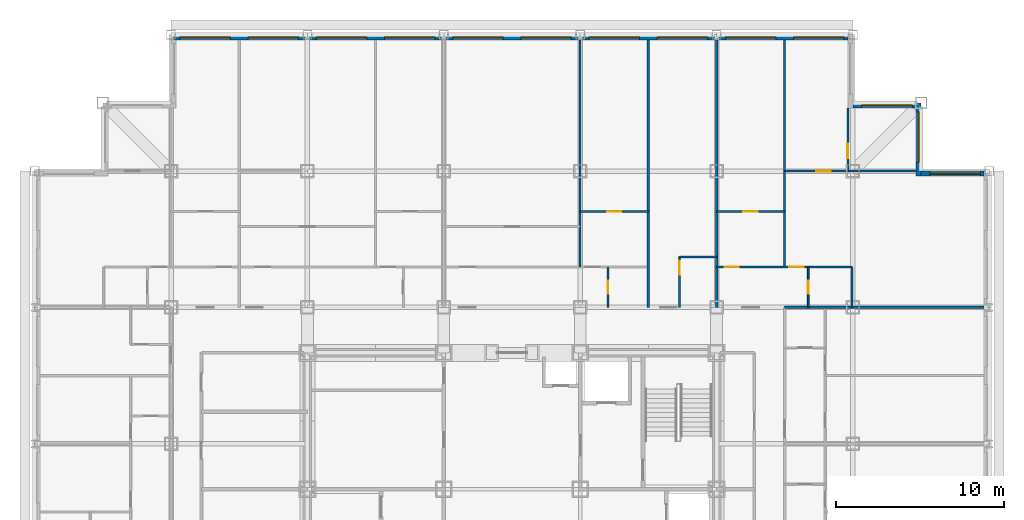
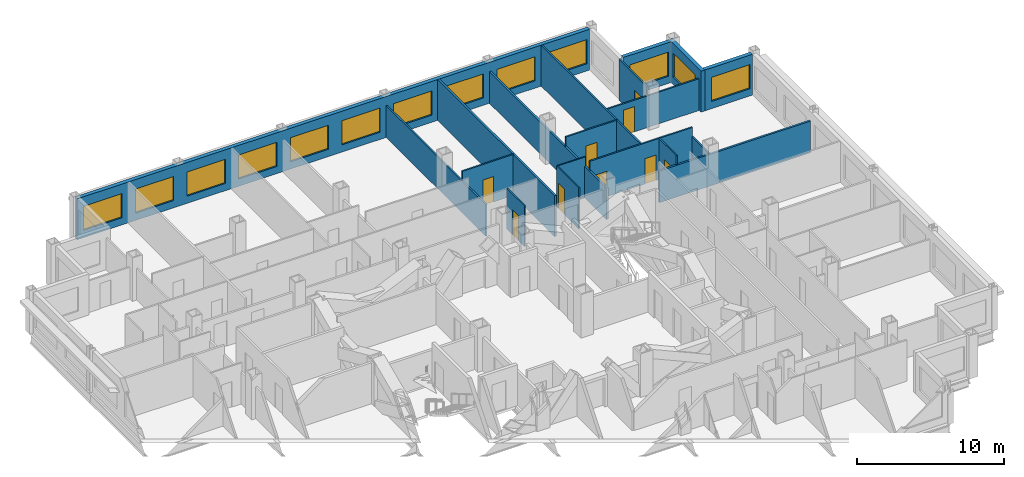
# One storey, part 10 of 12: 19 walls, 13 windows, 9 doors, 22 openings.
"""IFC4 building model written with IfcOpenShell, lengths in metres."""

import ifcopenshell
import ifcopenshell.guid

model = None  # the IFC model being written
_history = None  # IfcOwnerHistory: only IFC2X3 demands one
_inside = {}  # id of a spatial element -> (the spatial element, [elements in it])
_under = {}  # id of a project, library or spatial element -> (it, [spatial elements below it])
_declared = {}  # id of a project -> (the project, [libraries it declares])
_typed = {}  # id of a type object -> (the type object, [elements of that type])
_made_of = {}  # id of a material, layer set ... -> (it, [elements and type objects made of it])


def new_model(schema):
    """Start an empty IFC model of exactly this schema.

    Asked for "IFC4X3", IfcOpenShell would pick the latest addendum, in which some entities
    have other attributes; the version numbers below select the first issue.
    IFC2X3 requires an IfcOwnerHistory on every rooted entity: one is made here for all.
    """
    global model, _history
    if schema == "IFC4X3":
        model = ifcopenshell.file(schema_version=(4, 3, 0, 0))
    else:
        model = ifcopenshell.file(schema=schema)
    _inside.clear()
    _under.clear()
    _declared.clear()
    _typed.clear()
    _made_of.clear()
    _history = None
    if model.schema == "IFC2X3":
        org = make("IfcOrganization", Name="unknown")
        user = make(
            "IfcPersonAndOrganization",
            ThePerson=make("IfcPerson", FamilyName="unknown"),
            TheOrganization=org,
        )
        app = make(
            "IfcApplication",
            ApplicationDeveloper=org,
            Version="unknown",
            ApplicationFullName="unknown",
            ApplicationIdentifier="unknown",
        )
        _history = make(
            "IfcOwnerHistory",
            OwningUser=user,
            OwningApplication=app,
            ChangeAction="ADDED",
            CreationDate=0,
        )
    return model


def make(cls, **values):
    """One entity of the class cls with the attributes given. An attribute that is None is left unset."""
    return model.create_entity(
        cls, **{name: value for name, value in values.items() if value is not None}
    )


def rooted(cls, **values):
    """An entity with a GlobalId (a new one), such as an element, a storey or a relation."""
    return make(cls, GlobalId=ifcopenshell.guid.new(), OwnerHistory=_history, **values)


def si_unit(unit_type, name, prefix=None):
    """IfcSIUnit, for example si_unit("LENGTHUNIT", "METRE", prefix="MILLI")."""
    return make("IfcSIUnit", UnitType=unit_type, Prefix=prefix, Name=name)


def assignment(units):
    """IfcUnitAssignment: the units of a project."""
    return None if units is None else make("IfcUnitAssignment", Units=units)


def point(xyz):
    """IfcCartesianPoint."""
    return None if xyz is None else make("IfcCartesianPoint", Coordinates=xyz)


def direction(xyz):
    """IfcDirection."""
    return None if xyz is None else make("IfcDirection", DirectionRatios=xyz)


def frame(location, z_axis=None, x_axis=None):
    """IfcAxis2Placement3D, a coordinate frame: its origin and axes. An axis left out is left unset."""
    return make(
        "IfcAxis2Placement3D",
        Location=point(location),
        Axis=direction(z_axis),
        RefDirection=direction(x_axis),
    )


def frame_2d(location, x_axis=None):
    """IfcAxis2Placement2D, a coordinate frame in the plane: its origin and x axis."""
    return make(
        "IfcAxis2Placement2D", Location=point(location), RefDirection=direction(x_axis)
    )


def origin():
    """The frame at (0, 0, 0) with its axes left unset."""
    return frame((0.0, 0.0, 0.0))


def place(relative_to, where):
    """IfcLocalPlacement: puts the frame where relative to a parent placement (None: the world)."""
    return make(
        "IfcLocalPlacement", PlacementRelTo=relative_to, RelativePlacement=where
    )


def context(
    kind, dimensions, precision=None, world=None, true_north=None, identifier=None
):
    """IfcGeometricRepresentationContext, for example the 3D "Model" context."""
    return make(
        "IfcGeometricRepresentationContext",
        ContextIdentifier=identifier,
        ContextType=kind,
        CoordinateSpaceDimension=dimensions,
        Precision=precision,
        WorldCoordinateSystem=world,
        TrueNorth=true_north,
    )


def subcontext(parent, identifier, kind, view, scale=None):
    """IfcGeometricRepresentationSubContext, for example "Body" below "Model"."""
    return make(
        "IfcGeometricRepresentationSubContext",
        ContextIdentifier=identifier,
        ContextType=kind,
        ParentContext=parent,
        TargetScale=scale,
        TargetView=view,
    )


def project(units=None, contexts=None):
    """IfcProject with its units and contexts."""
    return rooted(
        "IfcProject",
        Name="project",
        RepresentationContexts=contexts,
        UnitsInContext=assignment(units),
    )


def spatial(cls, under=None, at=None, **own):
    """A site, building, storey or space (cls), placed at a placement, below another one or the project."""
    s = rooted(cls, ObjectPlacement=at, **own)
    if under is not None:
        _under.setdefault(under.id(), (under, []))[1].append(s)
    return s


def profile(cls, at=None, kind="AREA", **sizes):
    """A parametric profile (cls). Its sizes go by their IFC names, for example OverallWidth=200.0."""
    return make(cls, ProfileType=kind, Position=at, **sizes)


def rectangle(**sizes):
    """IfcRectangleProfileDef."""
    return profile("IfcRectangleProfileDef", **sizes)


def extrude(swept, where, along, depth):
    """IfcExtrudedAreaSolid: the profile swept, set in the frame where, extruded along a direction by depth."""
    return make(
        "IfcExtrudedAreaSolid",
        SweptArea=swept,
        Position=where,
        ExtrudedDirection=direction(along),
        Depth=depth,
    )


def shape(context_of_items, identifier, shape_type, items):
    """IfcShapeRepresentation: the items that make up one representation, for example the "Body"."""
    return make(
        "IfcShapeRepresentation",
        ContextOfItems=context_of_items,
        RepresentationIdentifier=identifier,
        RepresentationType=shape_type,
        Items=items,
    )


def material(Name=None, Category=None):
    """IfcMaterial."""
    return make("IfcMaterial", Name=Name, Category=Category)


def layer(
    of_material, thickness, ventilated=None, Name=None, Category=None, Priority=None
):
    """IfcMaterialLayer: one layer of a wall or slab, of a material (None: an air gap)."""
    return make(
        "IfcMaterialLayer",
        Material=of_material,
        LayerThickness=thickness,
        IsVentilated=ventilated,
        Name=Name,
        Category=Category,
        Priority=Priority,
    )


def layer_set(layers, Name=None):
    """IfcMaterialLayerSet."""
    return make("IfcMaterialLayerSet", MaterialLayers=layers, LayerSetName=Name)


def made_of(thing, what):
    """Note that an element or type object is made of a material, layer set ...; save() writes the relation."""
    if what is not None:
        _made_of.setdefault(what.id(), (what, []))[1].append(thing)
    return thing


def type_object(cls, material=None, **own):
    """A type object (cls), such as IfcWallType, which elements share."""
    return made_of(rooted(cls, **own), material)


def element(
    cls,
    number,
    at=None,
    inside=None,
    cuts=None,
    type_object=None,
    material=None,
    context=None,
    identifier="Body",
    shape_type=None,
    held_by="IfcProductDefinitionShape",
    body=None,
    shapes=None,
    **own,
):
    """One element of the class cls, such as IfcWall. Its Tag is "e" and its number.

    at: its placement. inside: the storey or other place that contains it. cuts: it is an
    opening in that element (IfcRelVoidsElement). A single representation is given by context,
    identifier, shape_type and body (its items); several are given by shapes. held_by: the class
    of the entity that holds the representations. save() writes the other relations.
    """
    e = rooted(cls, Tag="e%d" % number, ObjectPlacement=at, **own)
    if body is not None:
        shapes = [shape(context, identifier, shape_type, body)]
    if shapes is not None:
        e.Representation = make(held_by, Representations=shapes)
    if inside is not None:
        _inside.setdefault(inside.id(), (inside, []))[1].append(e)
    if cuts is not None:
        rooted(
            "IfcRelVoidsElement", RelatingBuildingElement=cuts, RelatedOpeningElement=e
        )
    if type_object is not None:
        _typed.setdefault(type_object.id(), (type_object, []))[1].append(e)
    return made_of(e, material)


def fill(opening, filler):
    """IfcRelFillsElement: the door or window that sits in an opening."""
    return rooted(
        "IfcRelFillsElement",
        RelatingOpeningElement=opening,
        RelatedBuildingElement=filler,
    )


def aggregate(whole, parts):
    """IfcRelAggregates: a whole, such as a stair, and the parts it consists of."""
    return rooted("IfcRelAggregates", RelatingObject=whole, RelatedObjects=parts)


def save(model, path):
    """Write the relations noted so far, then the file.

    IfcRelAggregates (storeys below a building ...), IfcRelContainedInSpatialStructure (elements
    in a storey), IfcRelDefinesByType, IfcRelAssociatesMaterial and IfcRelDeclares: one each for
    every whole, place, type object, material and project.
    """
    for whole, parts in _under.values():
        aggregate(whole, parts)
    for where, things in _inside.values():
        rooted(
            "IfcRelContainedInSpatialStructure",
            RelatedElements=things,
            RelatingStructure=where,
        )
    for kind, things in _typed.values():
        rooted("IfcRelDefinesByType", RelatedObjects=things, RelatingType=kind)
    for what, things in _made_of.values():
        rooted("IfcRelAssociatesMaterial", RelatedObjects=things, RelatingMaterial=what)
    for by, libraries in _declared.values():
        rooted("IfcRelDeclares", RelatingContext=by, RelatedDefinitions=libraries)
    model.write(path)


model = new_model("IFC4")

# Units and contexts
model_context = context("Model", 3, precision=1e-05, world=origin(), true_north=direction((0.0, 1.0)))
body_context = subcontext(model_context, "Body", "Model", "MODEL_VIEW")
ifc_project = project(units=[si_unit("LENGTHUNIT", "METRE"), si_unit("AREAUNIT", "SQUARE_METRE"), si_unit("VOLUMEUNIT", "CUBIC_METRE"), si_unit("PLANEANGLEUNIT", "RADIAN"), si_unit("MASSUNIT", "GRAM", prefix="KILO")], contexts=[model_context])

# Site, building, storey
site_placement = place(None, origin())
site = spatial("IfcSite", under=ifc_project, at=site_placement, CompositionType="ELEMENT")
building_placement = place(site_placement, origin())
building = spatial("IfcBuilding", under=site, at=building_placement, Name="Kopane Lantern Tower", CompositionType="ELEMENT")
storey_placement = place(building_placement, frame((0.0, 0.0, 224.39990234375)))
storey = spatial("IfcBuildingStorey", under=building, at=storey_placement, Name="L58", CompositionType="ELEMENT", Elevation=224.39990234375)

# Wall
ifc_material_1 = material(Name="Gypsum board on steel studs", Category="steel")
ifc_layer_1 = layer(ifc_material_1, 0.1201171875)
ifc_layer_set_1 = layer_set([ifc_layer_1], Name="APARTMENT INTERNAL WALL 120")
wall_type_1 = type_object("IfcWallType", Name="APARTMENT INTERNAL WALL 120", PredefinedType="PARTITIONING", material=ifc_layer_set_1)
wall_1_placement = place(storey_placement, frame((32.39990234375, 45.60009765625, 0.0), z_axis=(0.0, 0.0, 1.0), x_axis=(0.0, 1.0, 0.0)))
element("IfcWall", 1, at=wall_1_placement, inside=storey, type_object=wall_type_1, Name="Apartment Internal Wall 120 L58", PredefinedType="PARTITIONING", context=body_context, shape_type="SweptSolid", body=[
    extrude(rectangle(XDim=13.5, YDim=0.1201171875, at=frame_2d((6.75, 0.0))), origin(), (0.0, 0.0, 1.0), 2.6279296875),
])

# Wall, openings, doors
wall_2_placement = place(storey_placement, frame((40.5, 45.60009765625, 0.0), z_axis=(0.0, 0.0, 1.0), x_axis=(1.0, 0.0, 0.0)))
wall_2 = element("IfcWall", 2, at=wall_2_placement, inside=storey, type_object=wall_type_1, Name="Apartment Internal Wall 120 L58", PredefinedType="PARTITIONING", context=body_context, shape_type="SweptSolid", body=[
    extrude(rectangle(XDim=8.050048828125, YDim=0.1201171875, at=frame_2d((4.02490234375, 0.0))), origin(), (0.0, 0.0, 1.0), 3.39013671875),
])
opening_1_placement = place(wall_2_placement, frame((0.47509765625, 0.0, 0.0)))
opening_1 = element("IfcOpeningElement", 3, at=opening_1_placement, cuts=wall_2, Name="Opening L58-059", PredefinedType="OPENING", context=body_context, shape_type="SweptSolid", body=[
    extrude(rectangle(XDim=0.85009765625, YDim=2.10009765625, at=frame_2d((0.425048828125, 1.050048828125))), frame((0.0, 0.070068359375, 0.0), z_axis=(0.0, -1.0, 0.0), x_axis=(1.0, 0.0, 0.0)), (0.0, 0.0, 1.0), 0.14013671875),
])
opening_2_placement = place(wall_2_placement, frame((4.324951171875, 0.0, 0.0)))
opening_2 = element("IfcOpeningElement", 4, at=opening_2_placement, cuts=wall_2, Name="Opening L58-061", PredefinedType="OPENING", context=body_context, shape_type="SweptSolid", body=[
    extrude(rectangle(XDim=0.85009765625, YDim=2.10009765625, at=frame_2d((0.425048828125, 1.050048828125))), frame((0.0, 0.070068359375, 0.0), z_axis=(0.0, -1.0, 0.0), x_axis=(1.0, 0.0, 0.0)), (0.0, 0.0, 1.0), 0.14013671875),
])
ifc_material_2 = material(Name="Timber door set", Category="wood")
door_type_1 = type_object("IfcDoorType", Name="DOOR D4 850x2100", OperationType="SINGLE_SWING_LEFT", PredefinedType="DOOR", material=ifc_material_2)
door_1_placement = place(opening_1_placement, origin())
door_1 = element("IfcDoor", 5, at=door_1_placement, inside=storey, type_object=door_type_1, Name="Door L58-059", OperationType="SINGLE_SWING_RIGHT", OverallHeight=2.10009765625, OverallWidth=0.85009765625, PredefinedType="DOOR", context=body_context, shape_type="SweptSolid", body=[
    extrude(rectangle(XDim=0.85009765625, YDim=2.10009765625, at=frame_2d((0.425048828125, 1.050048828125))), frame((0.0, 0.02490234375, 0.0), z_axis=(0.0, -1.0, 0.0), x_axis=(1.0, 0.0, 0.0)), (0.0, 0.0, 1.0), 0.050048828125),
])
fill(opening_1, door_1)
door_2_placement = place(opening_2_placement, origin())
door_2 = element("IfcDoor", 6, at=door_2_placement, inside=storey, type_object=door_type_1, Name="Door L58-061", OperationType="SINGLE_SWING_LEFT", OverallHeight=2.10009765625, OverallWidth=0.85009765625, PredefinedType="DOOR", context=body_context, shape_type="SweptSolid", body=[
    extrude(rectangle(XDim=0.85009765625, YDim=2.10009765625, at=frame_2d((0.425048828125, 1.050048828125))), frame((0.0, 0.02490234375, 0.0), z_axis=(0.0, -1.0, 0.0), x_axis=(1.0, 0.0, 0.0)), (0.0, 0.0, 1.0), 0.050048828125),
])
fill(opening_2, door_2)

# Wall
wall_3_placement = place(storey_placement, frame((44.550048828125, 45.60009765625, 0.0), z_axis=(0.0, 0.0, 1.0), x_axis=(0.0, 1.0, 0.0)))
element("IfcWall", 7, at=wall_3_placement, inside=storey, type_object=wall_type_1, Name="Apartment Internal Wall 120 L58", PredefinedType="PARTITIONING", context=body_context, shape_type="SweptSolid", body=[
    extrude(rectangle(XDim=13.5, YDim=0.1201171875, at=frame_2d((6.75, 0.0))), origin(), (0.0, 0.0, 1.0), 3.39013671875),
])

# Wall, opening, door
wall_4_placement = place(storey_placement, frame((44.550048828125, 51.300048828125, 0.0), z_axis=(0.0, 0.0, 1.0), x_axis=(1.0, 0.0, 0.0)))
wall_4 = element("IfcWall", 8, at=wall_4_placement, inside=storey, type_object=wall_type_1, Name="Apartment Internal Wall 120 L58", PredefinedType="PARTITIONING", context=body_context, shape_type="SweptSolid", body=[
    extrude(rectangle(XDim=7.800048828125, YDim=0.1201171875, at=frame_2d((3.89990234375, 0.0))), origin(), (0.0, 0.0, 1.0), 2.6279296875),
])
opening_3_placement = place(wall_4_placement, frame((1.875, 0.0, 0.0)))
opening_3 = element("IfcOpeningElement", 9, at=opening_3_placement, cuts=wall_4, Name="Opening L58-062", PredefinedType="OPENING", context=body_context, shape_type="SweptSolid", body=[
    extrude(rectangle(XDim=0.85009765625, YDim=2.10009765625, at=frame_2d((0.425048828125, 1.050048828125))), frame((0.0, 0.070068359375, 0.0), z_axis=(0.0, -1.0, 0.0), x_axis=(1.0, 0.0, 0.0)), (0.0, 0.0, 1.0), 0.14013671875),
])
door_3_placement = place(opening_3_placement, origin())
door_3 = element("IfcDoor", 10, at=door_3_placement, inside=storey, type_object=door_type_1, Name="Door L58-062", OperationType="SINGLE_SWING_RIGHT", OverallHeight=2.10009765625, OverallWidth=0.85009765625, PredefinedType="DOOR", context=body_context, shape_type="SweptSolid", body=[
    extrude(rectangle(XDim=0.85009765625, YDim=2.10009765625, at=frame_2d((0.425048828125, 1.050048828125))), frame((0.0, 0.02490234375, 0.0), z_axis=(0.0, -1.0, 0.0), x_axis=(1.0, 0.0, 0.0)), (0.0, 0.0, 1.0), 0.050048828125),
])
fill(opening_3, door_3)

wall_5_placement = place(storey_placement, frame((48.300048828125, 51.300048828125, 0.0), z_axis=(0.0, 0.0, 1.0), x_axis=(0.0, 1.0, 0.0)))
wall_5 = element("IfcWall", 11, at=wall_5_placement, inside=storey, type_object=wall_type_1, Name="Apartment Internal Wall 120 L58", PredefinedType="PARTITIONING", context=body_context, shape_type="SweptSolid", body=[
    extrude(rectangle(XDim=3.75, YDim=0.1201171875, at=frame_2d((1.875, 0.0))), origin(), (0.0, 0.0, 1.0), 3.39013671875),
])
opening_4_placement = place(wall_5_placement, frame((0.77490234375, 0.0, 0.0)))
opening_4 = element("IfcOpeningElement", 12, at=opening_4_placement, cuts=wall_5, Name="Opening L58-070", PredefinedType="OPENING", context=body_context, shape_type="SweptSolid", body=[
    extrude(rectangle(XDim=0.85009765625, YDim=2.10009765625, at=frame_2d((0.425048828125, 1.050048828125))), frame((0.0, 0.070068359375, 0.0), z_axis=(0.0, -1.0, 0.0), x_axis=(1.0, 0.0, 0.0)), (0.0, 0.0, 1.0), 0.14013671875),
])
door_4_placement = place(opening_4_placement, origin())
door_4 = element("IfcDoor", 13, at=door_4_placement, inside=storey, type_object=door_type_1, Name="Door L58-070", OperationType="SINGLE_SWING_RIGHT", OverallHeight=2.10009765625, OverallWidth=0.85009765625, PredefinedType="DOOR", context=body_context, shape_type="SweptSolid", body=[
    extrude(rectangle(XDim=0.85009765625, YDim=2.10009765625, at=frame_2d((0.425048828125, 1.050048828125))), frame((0.0, 0.02490234375, 0.0), z_axis=(0.0, -1.0, 0.0), x_axis=(1.0, 0.0, 0.0)), (0.0, 0.0, 1.0), 0.050048828125),
])
fill(opening_4, door_4)

wall_6_placement = place(storey_placement, frame((32.39990234375, 48.89990234375, 0.0), z_axis=(0.0, 0.0, 1.0), x_axis=(1.0, 0.0, 0.0)))
wall_6 = element("IfcWall", 14, at=wall_6_placement, inside=storey, type_object=wall_type_1, Name="Apartment Internal Wall 120 L58", PredefinedType="PARTITIONING", context=body_context, shape_type="SweptSolid", body=[
    extrude(rectangle(XDim=4.050048828125, YDim=0.1201171875, at=frame_2d((2.02490234375, 0.0))), origin(), (0.0, 0.0, 1.0), 3.39013671875),
])
opening_5_placement = place(wall_6_placement, frame((1.60009765625, 0.0, 0.0)))
opening_5 = element("IfcOpeningElement", 15, at=opening_5_placement, cuts=wall_6, Name="Opening L58-074", PredefinedType="OPENING", context=body_context, shape_type="SweptSolid", body=[
    extrude(rectangle(XDim=0.85009765625, YDim=2.10009765625, at=frame_2d((0.425048828125, 1.050048828125))), frame((0.0, 0.070068359375, 0.0), z_axis=(0.0, -1.0, 0.0), x_axis=(1.0, 0.0, 0.0)), (0.0, 0.0, 1.0), 0.14013671875),
])
door_5_placement = place(opening_5_placement, origin())
door_5 = element("IfcDoor", 16, at=door_5_placement, inside=storey, type_object=door_type_1, Name="Door L58-074", OperationType="SINGLE_SWING_RIGHT", OverallHeight=2.10009765625, OverallWidth=0.85009765625, PredefinedType="DOOR", context=body_context, shape_type="SweptSolid", body=[
    extrude(rectangle(XDim=0.85009765625, YDim=2.10009765625, at=frame_2d((0.425048828125, 1.050048828125))), frame((0.0, 0.02490234375, 0.0), z_axis=(0.0, -1.0, 0.0), x_axis=(1.0, 0.0, 0.0)), (0.0, 0.0, 1.0), 0.050048828125),
])
fill(opening_5, door_5)

wall_7_placement = place(storey_placement, frame((40.5, 48.89990234375, 0.0), z_axis=(0.0, 0.0, 1.0), x_axis=(1.0, 0.0, 0.0)))
wall_7 = element("IfcWall", 17, at=wall_7_placement, inside=storey, type_object=wall_type_1, Name="Apartment Internal Wall 120 L58", PredefinedType="PARTITIONING", context=body_context, shape_type="SweptSolid", body=[
    extrude(rectangle(XDim=4.050048828125, YDim=0.1201171875, at=frame_2d((2.02490234375, 0.0))), origin(), (0.0, 0.0, 1.0), 3.39013671875),
])
opening_6_placement = place(wall_7_placement, frame((1.60009765625, 0.0, 0.0)))
opening_6 = element("IfcOpeningElement", 18, at=opening_6_placement, cuts=wall_7, Name="Opening L58-075", PredefinedType="OPENING", context=body_context, shape_type="SweptSolid", body=[
    extrude(rectangle(XDim=0.85009765625, YDim=2.10009765625, at=frame_2d((0.425048828125, 1.050048828125))), frame((0.0, 0.070068359375, 0.0), z_axis=(0.0, -1.0, 0.0), x_axis=(1.0, 0.0, 0.0)), (0.0, 0.0, 1.0), 0.14013671875),
])
door_6_placement = place(opening_6_placement, origin())
door_6 = element("IfcDoor", 19, at=door_6_placement, inside=storey, type_object=door_type_1, Name="Door L58-075", OperationType="SINGLE_SWING_RIGHT", OverallHeight=2.10009765625, OverallWidth=0.85009765625, PredefinedType="DOOR", context=body_context, shape_type="SweptSolid", body=[
    extrude(rectangle(XDim=0.85009765625, YDim=2.10009765625, at=frame_2d((0.425048828125, 1.050048828125))), frame((0.0, 0.02490234375, 0.0), z_axis=(0.0, -1.0, 0.0), x_axis=(1.0, 0.0, 0.0)), (0.0, 0.0, 1.0), 0.050048828125),
])
fill(opening_6, door_6)

ifc_material_3 = material(Name="Moisture-resistant board on steel studs", Category="steel")
ifc_layer_2 = layer(ifc_material_3, 0.10009765625)
ifc_layer_set_2 = layer_set([ifc_layer_2], Name="BATHROOM WALL 100")
wall_type_2 = type_object("IfcWallType", Name="BATHROOM WALL 100", PredefinedType="PARTITIONING", material=ifc_layer_set_2)
wall_8_placement = place(storey_placement, frame((34.050048828125, 43.199951171875, 0.0), z_axis=(0.0, 0.0, 1.0), x_axis=(0.0, 1.0, 0.0)))
wall_8 = element("IfcWall", 20, at=wall_8_placement, inside=storey, type_object=wall_type_2, Name="Bathroom Wall 100 L58", PredefinedType="PARTITIONING", context=body_context, shape_type="SweptSolid", body=[
    extrude(rectangle(XDim=2.400146484375, YDim=0.10009765625, at=frame_2d((1.2001953125, 0.0))), origin(), (0.0, 0.0, 1.0), 3.39013671875),
])
opening_7_placement = place(wall_8_placement, frame((0.800048828125, 0.0, 0.0)))
opening_7 = element("IfcOpeningElement", 21, at=opening_7_placement, cuts=wall_8, Name="Opening L58-026", PredefinedType="OPENING", context=body_context, shape_type="SweptSolid", body=[
    extrude(rectangle(XDim=0.800048828125, YDim=2.10009765625, at=frame_2d((0.39990234375, 1.050048828125))), frame((0.0, 0.06005859375, 0.0), z_axis=(0.0, -1.0, 0.0), x_axis=(1.0, 0.0, 0.0)), (0.0, 0.0, 1.0), 0.1201171875),
])
ifc_material_4 = material(Name="Timber door set", Category="wood")
door_type_2 = type_object("IfcDoorType", Name="DOOR D2 800x2100", OperationType="SINGLE_SWING_LEFT", PredefinedType="DOOR", material=ifc_material_4)
door_7_placement = place(opening_7_placement, origin())
door_7 = element("IfcDoor", 22, at=door_7_placement, inside=storey, type_object=door_type_2, Name="Door L58-026", OperationType="SINGLE_SWING_RIGHT", OverallHeight=2.10009765625, OverallWidth=0.800048828125, PredefinedType="DOOR", context=body_context, shape_type="SweptSolid", body=[
    extrude(rectangle(XDim=0.800048828125, YDim=2.10009765625, at=frame_2d((0.39990234375, 1.050048828125))), frame((0.0, 0.02490234375, 0.0), z_axis=(0.0, -1.0, 0.0), x_axis=(1.0, 0.0, 0.0)), (0.0, 0.0, 1.0), 0.050048828125),
])
fill(opening_7, door_7)

# Wall
wall_9_placement = place(storey_placement, frame((38.300048828125, 46.199951171875, 0.0), z_axis=(0.0, 0.0, 1.0), x_axis=(1.0, 0.0, 0.0)))
element("IfcWall", 23, at=wall_9_placement, inside=storey, type_object=wall_type_2, Name="Bathroom Wall 100 L58", PredefinedType="PARTITIONING", context=body_context, shape_type="SweptSolid", body=[
    extrude(rectangle(XDim=2.199951171875, YDim=0.10009765625, at=frame_2d((1.10009765625, 0.0))), origin(), (0.0, 0.0, 1.0), 3.39013671875),
])

# Wall, opening, door
wall_10_placement = place(storey_placement, frame((38.300048828125, 43.199951171875, 0.0), z_axis=(0.0, 0.0, 1.0), x_axis=(0.0, 1.0, 0.0)))
wall_10 = element("IfcWall", 24, at=wall_10_placement, inside=storey, type_object=wall_type_2, Name="Bathroom Wall 100 L58", PredefinedType="PARTITIONING", context=body_context, shape_type="SweptSolid", body=[
    extrude(rectangle(XDim=3.0, YDim=0.10009765625, at=frame_2d((1.5, 0.0))), origin(), (0.0, 0.0, 1.0), 3.39013671875),
])
opening_8_placement = place(wall_10_placement, frame((1.949951171875, 0.0, 0.0)))
opening_8 = element("IfcOpeningElement", 25, at=opening_8_placement, cuts=wall_10, Name="Opening L58-030", PredefinedType="OPENING", context=body_context, shape_type="SweptSolid", body=[
    extrude(rectangle(XDim=0.800048828125, YDim=2.10009765625, at=frame_2d((0.39990234375, 1.050048828125))), frame((0.0, 0.06005859375, 0.0), z_axis=(0.0, -1.0, 0.0), x_axis=(1.0, 0.0, 0.0)), (0.0, 0.0, 1.0), 0.1201171875),
])
door_8_placement = place(opening_8_placement, origin())
door_8 = element("IfcDoor", 26, at=door_8_placement, inside=storey, type_object=door_type_2, Name="Door L58-030", OperationType="SINGLE_SWING_LEFT", OverallHeight=2.10009765625, OverallWidth=0.800048828125, PredefinedType="DOOR", context=body_context, shape_type="SweptSolid", body=[
    extrude(rectangle(XDim=0.800048828125, YDim=2.10009765625, at=frame_2d((0.39990234375, 1.050048828125))), frame((0.0, 0.02490234375, 0.0), z_axis=(0.0, -1.0, 0.0), x_axis=(1.0, 0.0, 0.0)), (0.0, 0.0, 1.0), 0.050048828125),
])
fill(opening_8, door_8)

wall_11_placement = place(storey_placement, frame((45.949951171875, 43.199951171875, 0.0), z_axis=(0.0, 0.0, 1.0), x_axis=(0.0, 1.0, 0.0)))
wall_11 = element("IfcWall", 27, at=wall_11_placement, inside=storey, type_object=wall_type_2, Name="Bathroom Wall 100 L58", PredefinedType="PARTITIONING", context=body_context, shape_type="SweptSolid", body=[
    extrude(rectangle(XDim=2.400146484375, YDim=0.10009765625, at=frame_2d((1.2001953125, 0.0))), origin(), (0.0, 0.0, 1.0), 3.39013671875),
])
opening_9_placement = place(wall_11_placement, frame((0.800048828125, 0.0, 0.0)))
opening_9 = element("IfcOpeningElement", 28, at=opening_9_placement, cuts=wall_11, Name="Opening L58-060", PredefinedType="OPENING", context=body_context, shape_type="SweptSolid", body=[
    extrude(rectangle(XDim=0.800048828125, YDim=2.10009765625, at=frame_2d((0.39990234375, 1.050048828125))), frame((0.0, 0.06005859375, 0.0), z_axis=(0.0, -1.0, 0.0), x_axis=(1.0, 0.0, 0.0)), (0.0, 0.0, 1.0), 0.1201171875),
])
door_9_placement = place(opening_9_placement, origin())
door_9 = element("IfcDoor", 29, at=door_9_placement, inside=storey, type_object=door_type_2, Name="Door L58-060", OperationType="SINGLE_SWING_RIGHT", OverallHeight=2.10009765625, OverallWidth=0.800048828125, PredefinedType="DOOR", context=body_context, shape_type="SweptSolid", body=[
    extrude(rectangle(XDim=0.800048828125, YDim=2.10009765625, at=frame_2d((0.39990234375, 1.050048828125))), frame((0.0, 0.02490234375, 0.0), z_axis=(0.0, -1.0, 0.0), x_axis=(1.0, 0.0, 0.0)), (0.0, 0.0, 1.0), 0.050048828125),
])
fill(opening_9, door_9)

# Walls
wall_12_placement = place(storey_placement, frame((48.550048828125, 43.199951171875, 0.0), z_axis=(0.0, 0.0, 1.0), x_axis=(0.0, 1.0, 0.0)))
element("IfcWall", 30, at=wall_12_placement, inside=storey, type_object=wall_type_2, Name="Bathroom Wall 100 L58", PredefinedType="PARTITIONING", context=body_context, shape_type="SweptSolid", body=[
    extrude(rectangle(XDim=2.400146484375, YDim=0.10009765625, at=frame_2d((1.2001953125, 0.0))), origin(), (0.0, 0.0, 1.0), 2.6279296875),
])
ifc_material_5 = material(Name="Gypsum board on steel studs", Category="steel")
ifc_layer_3 = layer(ifc_material_5, 0.14990234375)
ifc_layer_set_3 = layer_set([ifc_layer_3], Name="DEMISING WALL 150 EI 60")
wall_type_3 = type_object("IfcWallType", Name="DEMISING WALL 150 EI 60", PredefinedType="PARTITIONING", material=ifc_layer_set_3)
wall_13_placement = place(storey_placement, frame((36.449951171875, 43.199951171875, 0.0), z_axis=(0.0, 0.0, 1.0), x_axis=(0.0, 1.0, 0.0)))
element("IfcWall", 31, at=wall_13_placement, inside=storey, type_object=wall_type_3, Name="Demising Wall 150 Ei 60 L58", PredefinedType="PARTITIONING", context=body_context, shape_type="SweptSolid", body=[
    extrude(rectangle(XDim=15.900146484375, YDim=0.14990234375, at=frame_2d((7.9501953125, 0.0))), origin(), (0.0, 0.0, 1.0), 3.39013671875),
])
wall_14_placement = place(storey_placement, frame((44.550048828125, 43.199951171875, 0.0), z_axis=(0.0, 0.0, 1.0), x_axis=(1.0, 0.0, 0.0)))
element("IfcWall", 32, at=wall_14_placement, inside=storey, type_object=wall_type_3, Name="Demising Wall 150 Ei 60 L58", PredefinedType="PARTITIONING", context=body_context, shape_type="SweptSolid", body=[
    extrude(rectangle(XDim=11.849853515625, YDim=0.14990234375, at=frame_2d((5.9248046875, 0.0))), origin(), (0.0, 0.0, 1.0), 2.6279296875),
])
wall_15_placement = place(storey_placement, frame((40.5, 43.199951171875, 0.0), z_axis=(0.0, 0.0, 1.0), x_axis=(0.0, 1.0, 0.0)))
element("IfcWall", 33, at=wall_15_placement, inside=storey, type_object=wall_type_3, Name="Demising Wall 150 Ei 60 L58", PredefinedType="PARTITIONING", context=body_context, shape_type="SweptSolid", body=[
    extrude(rectangle(XDim=15.900146484375, YDim=0.14990234375, at=frame_2d((7.9501953125, 0.0))), origin(), (0.0, 0.0, 1.0), 2.6279296875),
])

# Wall, opening, window
ifc_material_6 = material(Name="Terracotta rainscreen on light steel framing", Category="masonry")
ifc_layer_4 = layer(ifc_material_6, 0.300048828125)
ifc_layer_set_4 = layer_set([ifc_layer_4], Name="EXTERNAL WALL EW1 300 TERRACOTTA")
wall_type_4 = type_object("IfcWallType", Name="EXTERNAL WALL EW1 300 TERRACOTTA", PredefinedType="SOLIDWALL", material=ifc_layer_set_4)
wall_16_placement = place(storey_placement, frame((56.39990234375, 51.14990234375, 0.0), z_axis=(0.0, 0.0, 1.0), x_axis=(-1.0, 0.0, 0.0)))
wall_16 = element("IfcWall", 34, at=wall_16_placement, inside=storey, type_object=wall_type_4, Name="External wall N L58", PredefinedType="SOLIDWALL", context=body_context, shape_type="SweptSolid", body=[
    extrude(rectangle(XDim=3.75, YDim=0.300048828125, at=frame_2d((1.875, 0.0))), origin(), (0.0, 0.0, 1.0), 3.39013671875),
])
opening_10_placement = place(wall_16_placement, frame((0.22509765625, 0.0, 0.60009765625)))
opening_10 = element("IfcOpeningElement", 35, at=opening_10_placement, cuts=wall_16, Name="Opening WR300200", PredefinedType="OPENING", context=body_context, shape_type="SweptSolid", body=[
    extrude(rectangle(XDim=3.0, YDim=2.0, at=frame_2d((1.5, 1.0))), frame((0.0, 0.159912109375, 0.0), z_axis=(0.0, -1.0, 0.0), x_axis=(1.0, 0.0, 0.0)), (0.0, 0.0, 1.0), 0.320068359375),
])
ifc_material_7 = material(Name="Aluminium and clear glass", Category="aluminium")
window_type = type_object("IfcWindowType", Name="RIBBON WINDOW WR300200 3000x2000", PartitioningType="SINGLE_PANEL", PredefinedType="WINDOW", material=ifc_material_7)
window_1_placement = place(opening_10_placement, origin())
window_1 = element("IfcWindow", 36, at=window_1_placement, inside=storey, type_object=window_type, Name="Window N L58", OverallHeight=2.0, OverallWidth=3.0, PartitioningType="SINGLE_PANEL", PredefinedType="WINDOW", context=body_context, shape_type="SweptSolid", body=[
    extrude(rectangle(XDim=3.0, YDim=2.0, at=frame_2d((1.5, 1.0))), frame((0.0, 0.030029296875, 0.0), z_axis=(0.0, -1.0, 0.0), x_axis=(1.0, 0.0, 0.0)), (0.0, 0.0, 1.0), 0.06005859375),
])
fill(opening_10, window_1)

wall_17_placement = place(storey_placement, frame((52.5, 51.0, 0.0), z_axis=(0.0, 0.0, 1.0), x_axis=(0.0, 1.0, 0.0)))
wall_17 = element("IfcWall", 37, at=wall_17_placement, inside=storey, type_object=wall_type_4, Name="External wall E L58", PredefinedType="SOLIDWALL", context=body_context, shape_type="SweptSolid", body=[
    extrude(rectangle(XDim=4.35009765625, YDim=0.300048828125, at=frame_2d((2.175048828125, 0.0))), origin(), (0.0, 0.0, 1.0), 3.39013671875),
])
opening_11_placement = place(wall_17_placement, frame((0.824951171875, 0.0, 0.60009765625)))
opening_11 = element("IfcOpeningElement", 38, at=opening_11_placement, cuts=wall_17, Name="Opening WR300200", PredefinedType="OPENING", context=body_context, shape_type="SweptSolid", body=[
    extrude(rectangle(XDim=3.0, YDim=2.0, at=frame_2d((1.5, 1.0))), frame((0.0, 0.159912109375, 0.0), z_axis=(0.0, -1.0, 0.0), x_axis=(1.0, 0.0, 0.0)), (0.0, 0.0, 1.0), 0.320068359375),
])
window_2_placement = place(opening_11_placement, origin())
window_2 = element("IfcWindow", 39, at=window_2_placement, inside=storey, type_object=window_type, Name="Window E L58", OverallHeight=2.0, OverallWidth=3.0, PartitioningType="SINGLE_PANEL", PredefinedType="WINDOW", context=body_context, shape_type="SweptSolid", body=[
    extrude(rectangle(XDim=3.0, YDim=2.0, at=frame_2d((1.5, 1.0))), frame((0.0, 0.030029296875, 0.0), z_axis=(0.0, -1.0, 0.0), x_axis=(1.0, 0.0, 0.0)), (0.0, 0.0, 1.0), 0.06005859375),
])
fill(opening_11, window_2)

wall_18_placement = place(storey_placement, frame((52.35009765625, 55.199951171875, 0.0), z_axis=(0.0, 0.0, 1.0), x_axis=(-1.0, 0.0, 0.0)))
wall_18 = element("IfcWall", 40, at=wall_18_placement, inside=storey, type_object=wall_type_4, Name="External wall N L58", PredefinedType="SOLIDWALL", context=body_context, shape_type="SweptSolid", body=[
    extrude(rectangle(XDim=3.75, YDim=0.300048828125, at=frame_2d((1.875, 0.0))), origin(), (0.0, 0.0, 1.0), 3.39013671875),
])
opening_12_placement = place(wall_18_placement, frame((0.22509765625, 0.0, 0.60009765625)))
opening_12 = element("IfcOpeningElement", 41, at=opening_12_placement, cuts=wall_18, Name="Opening WR300200", PredefinedType="OPENING", context=body_context, shape_type="SweptSolid", body=[
    extrude(rectangle(XDim=3.0, YDim=2.0, at=frame_2d((1.5, 1.0))), frame((0.0, 0.159912109375, 0.0), z_axis=(0.0, -1.0, 0.0), x_axis=(1.0, 0.0, 0.0)), (0.0, 0.0, 1.0), 0.320068359375),
])
window_3_placement = place(opening_12_placement, origin())
window_3 = element("IfcWindow", 42, at=window_3_placement, inside=storey, type_object=window_type, Name="Window N L58", OverallHeight=2.0, OverallWidth=3.0, PartitioningType="SINGLE_PANEL", PredefinedType="WINDOW", context=body_context, shape_type="SweptSolid", body=[
    extrude(rectangle(XDim=3.0, YDim=2.0, at=frame_2d((1.5, 1.0))), frame((0.0, 0.030029296875, 0.0), z_axis=(0.0, -1.0, 0.0), x_axis=(1.0, 0.0, 0.0)), (0.0, 0.0, 1.0), 0.06005859375),
])
fill(opening_12, window_3)

# Wall, openings, windows
wall_19_placement = place(storey_placement, frame((48.300048828125, 59.25, 0.0), z_axis=(0.0, 0.0, 1.0), x_axis=(-1.0, 0.0, 0.0)))
wall_19 = element("IfcWall", 43, at=wall_19_placement, inside=storey, type_object=wall_type_4, Name="External wall N L58", PredefinedType="SOLIDWALL", context=body_context, shape_type="SweptSolid", body=[
    extrude(rectangle(XDim=40.199951171875, YDim=0.300048828125, at=frame_2d((20.10009765625, 0.0))), origin(), (0.0, 0.0, 1.0), 3.39013671875),
])
opening_13_placement = place(wall_19_placement, frame((0.22509765625, 0.0, 0.60009765625)))
opening_13 = element("IfcOpeningElement", 44, at=opening_13_placement, cuts=wall_19, Name="Opening WR300200", PredefinedType="OPENING", context=body_context, shape_type="SweptSolid", body=[
    extrude(rectangle(XDim=3.0, YDim=2.0, at=frame_2d((1.5, 1.0))), frame((0.0, 0.159912109375, 0.0), z_axis=(0.0, -1.0, 0.0), x_axis=(1.0, 0.0, 0.0)), (0.0, 0.0, 1.0), 0.320068359375),
])
opening_14_placement = place(wall_19_placement, frame((4.27490234375, 0.0, 0.60009765625)))
opening_14 = element("IfcOpeningElement", 45, at=opening_14_placement, cuts=wall_19, Name="Opening WR300200", PredefinedType="OPENING", context=body_context, shape_type="SweptSolid", body=[
    extrude(rectangle(XDim=3.0, YDim=2.0, at=frame_2d((1.5, 1.0))), frame((0.0, 0.159912109375, 0.0), z_axis=(0.0, -1.0, 0.0), x_axis=(1.0, 0.0, 0.0)), (0.0, 0.0, 1.0), 0.320068359375),
])
opening_15_placement = place(wall_19_placement, frame((8.324951171875, 0.0, 0.60009765625)))
opening_15 = element("IfcOpeningElement", 46, at=opening_15_placement, cuts=wall_19, Name="Opening WR300200", PredefinedType="OPENING", context=body_context, shape_type="SweptSolid", body=[
    extrude(rectangle(XDim=3.0, YDim=2.0, at=frame_2d((1.5, 1.0))), frame((0.0, 0.159912109375, 0.0), z_axis=(0.0, -1.0, 0.0), x_axis=(1.0, 0.0, 0.0)), (0.0, 0.0, 1.0), 0.320068359375),
])
opening_16_placement = place(wall_19_placement, frame((12.375, 0.0, 0.60009765625)))
opening_16 = element("IfcOpeningElement", 47, at=opening_16_placement, cuts=wall_19, Name="Opening WR300200", PredefinedType="OPENING", context=body_context, shape_type="SweptSolid", body=[
    extrude(rectangle(XDim=3.0, YDim=2.0, at=frame_2d((1.5, 1.0))), frame((0.0, 0.159912109375, 0.0), z_axis=(0.0, -1.0, 0.0), x_axis=(1.0, 0.0, 0.0)), (0.0, 0.0, 1.0), 0.320068359375),
])
opening_17_placement = place(wall_19_placement, frame((16.425048828125, 0.0, 0.60009765625)))
opening_17 = element("IfcOpeningElement", 48, at=opening_17_placement, cuts=wall_19, Name="Opening WR300200", PredefinedType="OPENING", context=body_context, shape_type="SweptSolid", body=[
    extrude(rectangle(XDim=3.0, YDim=2.0, at=frame_2d((1.5, 1.0))), frame((0.0, 0.159912109375, 0.0), z_axis=(0.0, -1.0, 0.0), x_axis=(1.0, 0.0, 0.0)), (0.0, 0.0, 1.0), 0.320068359375),
])
opening_18_placement = place(wall_19_placement, frame((20.47509765625, 0.0, 0.60009765625)))
opening_18 = element("IfcOpeningElement", 49, at=opening_18_placement, cuts=wall_19, Name="Opening WR300200", PredefinedType="OPENING", context=body_context, shape_type="SweptSolid", body=[
    extrude(rectangle(XDim=3.0, YDim=2.0, at=frame_2d((1.5, 1.0))), frame((0.0, 0.159912109375, 0.0), z_axis=(0.0, -1.0, 0.0), x_axis=(1.0, 0.0, 0.0)), (0.0, 0.0, 1.0), 0.320068359375),
])
opening_19_placement = place(wall_19_placement, frame((24.52490234375, 0.0, 0.60009765625)))
opening_19 = element("IfcOpeningElement", 50, at=opening_19_placement, cuts=wall_19, Name="Opening WR300200", PredefinedType="OPENING", context=body_context, shape_type="SweptSolid", body=[
    extrude(rectangle(XDim=3.0, YDim=2.0, at=frame_2d((1.5, 1.0))), frame((0.0, 0.159912109375, 0.0), z_axis=(0.0, -1.0, 0.0), x_axis=(1.0, 0.0, 0.0)), (0.0, 0.0, 1.0), 0.320068359375),
])
opening_20_placement = place(wall_19_placement, frame((28.574951171875, 0.0, 0.60009765625)))
opening_20 = element("IfcOpeningElement", 51, at=opening_20_placement, cuts=wall_19, Name="Opening WR300200", PredefinedType="OPENING", context=body_context, shape_type="SweptSolid", body=[
    extrude(rectangle(XDim=3.0, YDim=2.0, at=frame_2d((1.5, 1.0))), frame((0.0, 0.159912109375, 0.0), z_axis=(0.0, -1.0, 0.0), x_axis=(1.0, 0.0, 0.0)), (0.0, 0.0, 1.0), 0.320068359375),
])
opening_21_placement = place(wall_19_placement, frame((32.625, 0.0, 0.60009765625)))
opening_21 = element("IfcOpeningElement", 52, at=opening_21_placement, cuts=wall_19, Name="Opening WR300200", PredefinedType="OPENING", context=body_context, shape_type="SweptSolid", body=[
    extrude(rectangle(XDim=3.0, YDim=2.0, at=frame_2d((1.5, 1.0))), frame((0.0, 0.159912109375, 0.0), z_axis=(0.0, -1.0, 0.0), x_axis=(1.0, 0.0, 0.0)), (0.0, 0.0, 1.0), 0.320068359375),
])
opening_22_placement = place(wall_19_placement, frame((36.675048828125, 0.0, 0.60009765625)))
opening_22 = element("IfcOpeningElement", 53, at=opening_22_placement, cuts=wall_19, Name="Opening WR300200", PredefinedType="OPENING", context=body_context, shape_type="SweptSolid", body=[
    extrude(rectangle(XDim=3.0, YDim=2.0, at=frame_2d((1.5, 1.0))), frame((0.0, 0.159912109375, 0.0), z_axis=(0.0, -1.0, 0.0), x_axis=(1.0, 0.0, 0.0)), (0.0, 0.0, 1.0), 0.320068359375),
])
window_4_placement = place(opening_13_placement, origin())
window_4 = element("IfcWindow", 54, at=window_4_placement, inside=storey, type_object=window_type, Name="Window N L58", OverallHeight=2.0, OverallWidth=3.0, PartitioningType="SINGLE_PANEL", PredefinedType="WINDOW", context=body_context, shape_type="SweptSolid", body=[
    extrude(rectangle(XDim=3.0, YDim=2.0, at=frame_2d((1.5, 1.0))), frame((0.0, 0.030029296875, 0.0), z_axis=(0.0, -1.0, 0.0), x_axis=(1.0, 0.0, 0.0)), (0.0, 0.0, 1.0), 0.06005859375),
])
fill(opening_13, window_4)
window_5_placement = place(opening_14_placement, origin())
window_5 = element("IfcWindow", 55, at=window_5_placement, inside=storey, type_object=window_type, Name="Window N L58", OverallHeight=2.0, OverallWidth=3.0, PartitioningType="SINGLE_PANEL", PredefinedType="WINDOW", context=body_context, shape_type="SweptSolid", body=[
    extrude(rectangle(XDim=3.0, YDim=2.0, at=frame_2d((1.5, 1.0))), frame((0.0, 0.030029296875, 0.0), z_axis=(0.0, -1.0, 0.0), x_axis=(1.0, 0.0, 0.0)), (0.0, 0.0, 1.0), 0.06005859375),
])
fill(opening_14, window_5)
window_6_placement = place(opening_15_placement, origin())
window_6 = element("IfcWindow", 56, at=window_6_placement, inside=storey, type_object=window_type, Name="Window N L58", OverallHeight=2.0, OverallWidth=3.0, PartitioningType="SINGLE_PANEL", PredefinedType="WINDOW", context=body_context, shape_type="SweptSolid", body=[
    extrude(rectangle(XDim=3.0, YDim=2.0, at=frame_2d((1.5, 1.0))), frame((0.0, 0.030029296875, 0.0), z_axis=(0.0, -1.0, 0.0), x_axis=(1.0, 0.0, 0.0)), (0.0, 0.0, 1.0), 0.06005859375),
])
fill(opening_15, window_6)
window_7_placement = place(opening_16_placement, origin())
window_7 = element("IfcWindow", 57, at=window_7_placement, inside=storey, type_object=window_type, Name="Window N L58", OverallHeight=2.0, OverallWidth=3.0, PartitioningType="SINGLE_PANEL", PredefinedType="WINDOW", context=body_context, shape_type="SweptSolid", body=[
    extrude(rectangle(XDim=3.0, YDim=2.0, at=frame_2d((1.5, 1.0))), frame((0.0, 0.030029296875, 0.0), z_axis=(0.0, -1.0, 0.0), x_axis=(1.0, 0.0, 0.0)), (0.0, 0.0, 1.0), 0.06005859375),
])
fill(opening_16, window_7)
window_8_placement = place(opening_17_placement, origin())
window_8 = element("IfcWindow", 58, at=window_8_placement, inside=storey, type_object=window_type, Name="Window N L58", OverallHeight=2.0, OverallWidth=3.0, PartitioningType="SINGLE_PANEL", PredefinedType="WINDOW", context=body_context, shape_type="SweptSolid", body=[
    extrude(rectangle(XDim=3.0, YDim=2.0, at=frame_2d((1.5, 1.0))), frame((0.0, 0.030029296875, 0.0), z_axis=(0.0, -1.0, 0.0), x_axis=(1.0, 0.0, 0.0)), (0.0, 0.0, 1.0), 0.06005859375),
])
fill(opening_17, window_8)
window_9_placement = place(opening_18_placement, origin())
window_9 = element("IfcWindow", 59, at=window_9_placement, inside=storey, type_object=window_type, Name="Window N L58", OverallHeight=2.0, OverallWidth=3.0, PartitioningType="SINGLE_PANEL", PredefinedType="WINDOW", context=body_context, shape_type="SweptSolid", body=[
    extrude(rectangle(XDim=3.0, YDim=2.0, at=frame_2d((1.5, 1.0))), frame((0.0, 0.030029296875, 0.0), z_axis=(0.0, -1.0, 0.0), x_axis=(1.0, 0.0, 0.0)), (0.0, 0.0, 1.0), 0.06005859375),
])
fill(opening_18, window_9)
window_10_placement = place(opening_19_placement, origin())
window_10 = element("IfcWindow", 60, at=window_10_placement, inside=storey, type_object=window_type, Name="Window N L58", OverallHeight=2.0, OverallWidth=3.0, PartitioningType="SINGLE_PANEL", PredefinedType="WINDOW", context=body_context, shape_type="SweptSolid", body=[
    extrude(rectangle(XDim=3.0, YDim=2.0, at=frame_2d((1.5, 1.0))), frame((0.0, 0.030029296875, 0.0), z_axis=(0.0, -1.0, 0.0), x_axis=(1.0, 0.0, 0.0)), (0.0, 0.0, 1.0), 0.06005859375),
])
fill(opening_19, window_10)
window_11_placement = place(opening_20_placement, origin())
window_11 = element("IfcWindow", 61, at=window_11_placement, inside=storey, type_object=window_type, Name="Window N L58", OverallHeight=2.0, OverallWidth=3.0, PartitioningType="SINGLE_PANEL", PredefinedType="WINDOW", context=body_context, shape_type="SweptSolid", body=[
    extrude(rectangle(XDim=3.0, YDim=2.0, at=frame_2d((1.5, 1.0))), frame((0.0, 0.030029296875, 0.0), z_axis=(0.0, -1.0, 0.0), x_axis=(1.0, 0.0, 0.0)), (0.0, 0.0, 1.0), 0.06005859375),
])
fill(opening_20, window_11)
window_12_placement = place(opening_21_placement, origin())
window_12 = element("IfcWindow", 62, at=window_12_placement, inside=storey, type_object=window_type, Name="Window N L58", OverallHeight=2.0, OverallWidth=3.0, PartitioningType="SINGLE_PANEL", PredefinedType="WINDOW", context=body_context, shape_type="SweptSolid", body=[
    extrude(rectangle(XDim=3.0, YDim=2.0, at=frame_2d((1.5, 1.0))), frame((0.0, 0.030029296875, 0.0), z_axis=(0.0, -1.0, 0.0), x_axis=(1.0, 0.0, 0.0)), (0.0, 0.0, 1.0), 0.06005859375),
])
fill(opening_21, window_12)
window_13_placement = place(opening_22_placement, origin())
window_13 = element("IfcWindow", 63, at=window_13_placement, inside=storey, type_object=window_type, Name="Window N L58", OverallHeight=2.0, OverallWidth=3.0, PartitioningType="SINGLE_PANEL", PredefinedType="WINDOW", context=body_context, shape_type="SweptSolid", body=[
    extrude(rectangle(XDim=3.0, YDim=2.0, at=frame_2d((1.5, 1.0))), frame((0.0, 0.030029296875, 0.0), z_axis=(0.0, -1.0, 0.0), x_axis=(1.0, 0.0, 0.0)), (0.0, 0.0, 1.0), 0.06005859375),
])
fill(opening_22, window_13)

save(model, "model.ifc")
